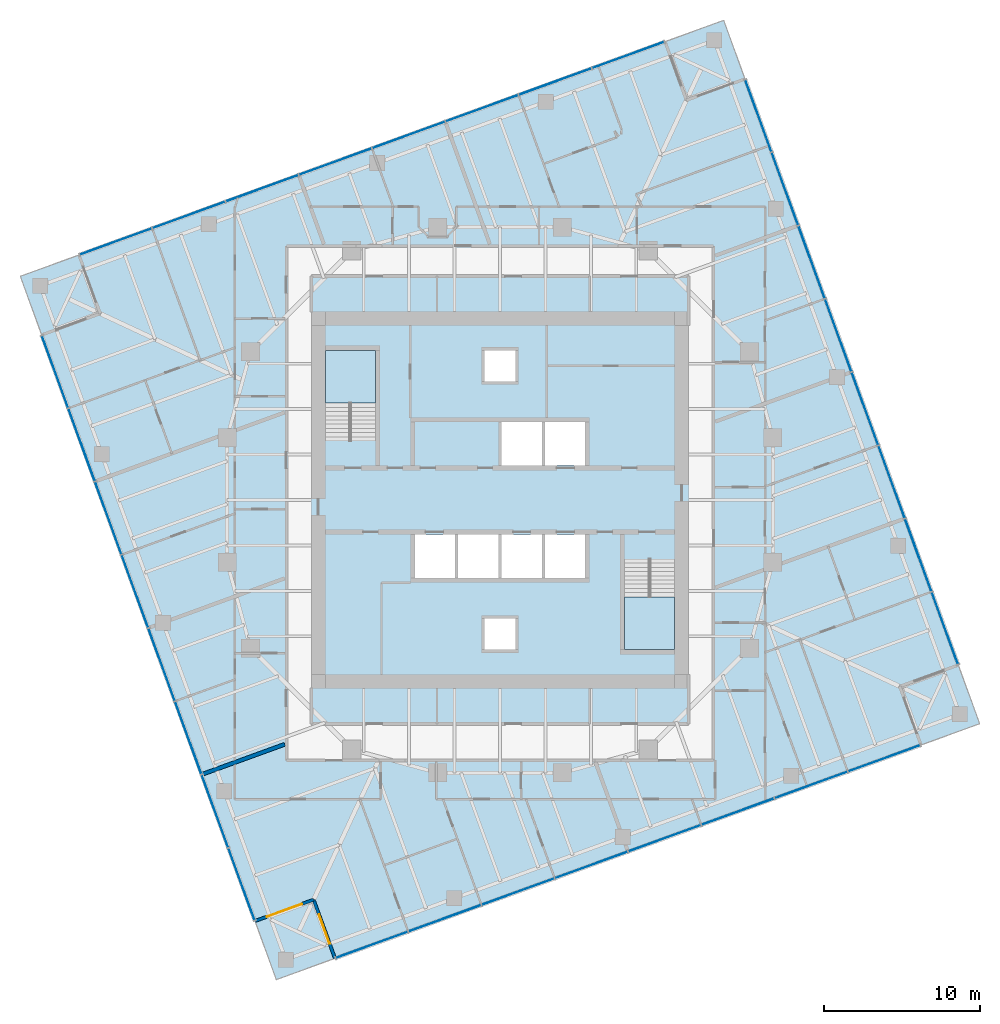
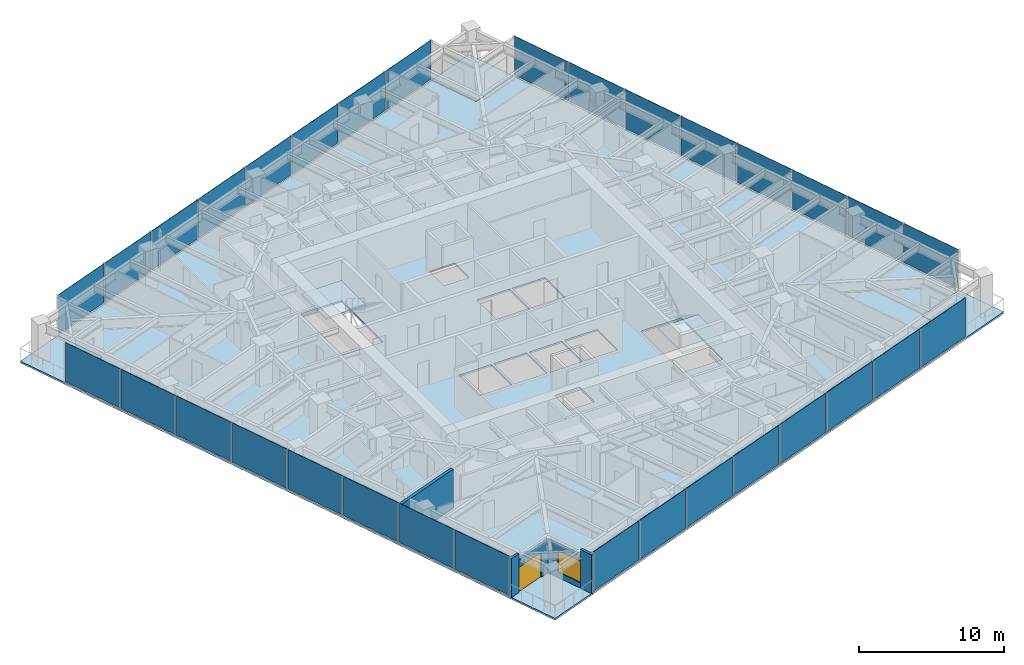
# One storey, part 6 of 13: 32 plates, 7 slabs, 5 walls, 1 door, 1 window, 2 openings, 6 elements without a shape of their own.
"""IFC4 building model written with IfcOpenShell, lengths in metres."""

from ifc_helpers import new_model, si_unit, direction, frame, frame_2d, origin, origin_2d, place, context, subcontext, project, spatial, polyline, rectangle, outline, extrude, material, layer, layer_set, type_object, element, fill, aggregate, save


model = new_model("IFC4")

# Units and contexts
model_context = context("Model", 3, precision=1e-05, world=origin(), true_north=direction((0.0, 1.0)))
body_context = subcontext(model_context, "Body", "Model", "MODEL_VIEW")
ifc_project = project(units=[si_unit("LENGTHUNIT", "METRE"), si_unit("AREAUNIT", "SQUARE_METRE"), si_unit("VOLUMEUNIT", "CUBIC_METRE"), si_unit("PLANEANGLEUNIT", "RADIAN"), si_unit("MASSUNIT", "GRAM", prefix="KILO")], contexts=[model_context])

# Site, building, storey
site_placement = place(None, origin())
site = spatial("IfcSite", under=ifc_project, at=site_placement, CompositionType="ELEMENT")
building_placement = place(site_placement, origin())
building = spatial("IfcBuilding", under=site, at=building_placement, Name="Torsade Residences", CompositionType="ELEMENT")
storey_placement = place(building_placement, frame((0.0, 0.0, 147.199951171875)))
storey = spatial("IfcBuildingStorey", under=building, at=storey_placement, Name="L40", CompositionType="ELEMENT", Elevation=147.199951171875)

# Slab
ifc_material_1 = material(Name="Concrete 40 MPa", Category="concrete")
ifc_layer_1 = layer(ifc_material_1, 0.14990234375)
ifc_layer_set_1 = layer_set([ifc_layer_1], Name="Concrete 40 MPa")
slab_type_1 = type_object("IfcSlabType", Name="COMPOSITE FLOOR SLAB 150", PredefinedType="FLOOR", material=ifc_layer_set_1)
slab_1_placement = place(storey_placement, frame((0.0, 0.0, -0.14990234375)))
element("IfcSlab", 1, at=slab_1_placement, inside=storey, type_object=slab_type_1, Name="Floor slab L40", PredefinedType="FLOOR", context=body_context, shape_type="SweptSolid", body=[
    extrude(outline(polyline([(29.41455078125, 0.60693359375), (67.00244140625, 14.287841796875), (65.63427734375, 18.046630859375), (69.39306640625, 19.41455078125), (55.712158203125, 57.00244140625), (51.953369140625, 55.63427734375), (50.58544921875, 59.39306640625), (12.99755859375, 45.712158203125), (14.36572265625, 41.953369140625), (10.60693359375, 40.58544921875), (24.287841796875, 2.99755859375), (28.046630859375, 4.36572265625), (29.41455078125, 0.60693359375)]), holes=[polyline([(51.199951171875, 26.1201171875), (48.0, 26.1201171875), (48.0, 20.39990234375), (51.199951171875, 20.39990234375), (51.199951171875, 26.1201171875)]), polyline([(45.5, 27.800048828125), (42.89990234375, 27.800048828125), (42.89990234375, 25.0), (45.5, 25.0), (45.5, 27.800048828125)]), polyline([(45.5, 35.0), (42.89990234375, 35.0), (42.89990234375, 32.199951171875), (45.5, 32.199951171875), (45.5, 35.0)]), polyline([(42.699951171875, 25.0), (42.699951171875, 27.800048828125), (40.10009765625, 27.800048828125), (40.10009765625, 25.0), (42.699951171875, 25.0)]), polyline([(42.699951171875, 35.0), (40.10009765625, 35.0), (40.10009765625, 32.199951171875), (42.699951171875, 32.199951171875), (42.699951171875, 35.0)]), polyline([(41.0, 22.39990234375), (39.0, 22.39990234375), (39.0, 20.39990234375), (41.0, 20.39990234375), (41.0, 22.39990234375)]), polyline([(41.0, 37.60009765625), (41.0, 39.60009765625), (39.0, 39.60009765625), (39.0, 37.60009765625), (41.0, 37.60009765625)]), polyline([(39.89990234375, 25.0), (39.89990234375, 27.800048828125), (37.300048828125, 27.800048828125), (37.300048828125, 25.0), (39.89990234375, 25.0)]), polyline([(37.10009765625, 27.800048828125), (34.5, 27.800048828125), (34.5, 25.0), (37.10009765625, 25.0), (37.10009765625, 27.800048828125)]), polyline([(32.0, 33.8798828125), (32.0, 39.60009765625), (28.800048828125, 39.60009765625), (28.800048828125, 33.8798828125), (32.0, 33.8798828125)])]), origin(), (0.0, 0.0, 1.0), 0.14990234375),
])

# Curtain wall, plates
ifc_material_2 = material(Name="Aluminium and glass", Category="aluminium")
curtain_wall_type = type_object("IfcCurtainWallType", Name="FRITTED GLASS CURTAIN WALL MID ZONE", PredefinedType="NOTDEFINED", material=ifc_material_2)
curtain_wall_1_placement = place(storey_placement, origin())
curtain_wall_1 = element("IfcCurtainWall", 2, at=curtain_wall_1_placement, inside=storey, type_object=curtain_wall_type, Name="Curtain wall L40 face 1", PredefinedType="NOTDEFINED")
ifc_material_3 = material(Name="Laminated glass", Category="glass")
ifc_layer_2 = layer(ifc_material_3, 0.031982421875)
ifc_layer_set_2 = layer_set([ifc_layer_2], Name="Laminated glass")
plate_type_1 = type_object("IfcPlateType", Name="FRITTED GLASS PANEL", PredefinedType="CURTAIN_PANEL", material=ifc_layer_set_2)
plate_1_placement = place(storey_placement, frame((31.78271484375, 1.46875, 0.110107421875), z_axis=(0.0, 0.0, 1.0), x_axis=(0.939692619132, 0.342020147869, 0.0)))
plate_1 = element("IfcPlate", 3, at=plate_1_placement, type_object=plate_type_1, Name="Panel 1", PredefinedType="CURTAIN_PANEL", context=body_context, shape_type="SweptSolid", body=[
    extrude(rectangle(XDim=4.8798828125, YDim=0.031982421875, at=origin_2d()), origin(), (0.0, 0.0, 1.0), 3.2900390625),
])
plate_2_placement = place(storey_placement, frame((41.160888671875, 4.88232421875, 0.110107421875), z_axis=(0.0, 0.0, 1.0), x_axis=(0.939692619132, 0.342020147869, 0.0)))
plate_2 = element("IfcPlate", 4, at=plate_2_placement, type_object=plate_type_1, Name="Panel 3", PredefinedType="CURTAIN_PANEL", context=body_context, shape_type="SweptSolid", body=[
    extrude(rectangle(XDim=4.919921875, YDim=0.031982421875, at=origin_2d()), origin(), (0.0, 0.0, 1.0), 3.2900390625),
])
plate_3_placement = place(storey_placement, frame((45.859130859375, 6.59228515625, 0.110107421875), z_axis=(0.0, 0.0, 1.0), x_axis=(0.939692619132, 0.342020147869, 0.0)))
plate_3 = element("IfcPlate", 5, at=plate_3_placement, type_object=plate_type_1, Name="Panel 4", PredefinedType="CURTAIN_PANEL", context=body_context, shape_type="SweptSolid", body=[
    extrude(rectangle(XDim=4.919921875, YDim=0.031982421875, at=origin_2d()), origin(), (0.0, 0.0, 1.0), 3.2900390625),
])
plate_4_placement = place(storey_placement, frame((50.5576171875, 8.302490234375, 0.110107421875), z_axis=(0.0, 0.0, 1.0), x_axis=(0.939692619132, 0.342020147869, 0.0)))
plate_4 = element("IfcPlate", 6, at=plate_4_placement, type_object=plate_type_1, Name="Panel 5", PredefinedType="CURTAIN_PANEL", context=body_context, shape_type="SweptSolid", body=[
    extrude(rectangle(XDim=4.919921875, YDim=0.031982421875, at=origin_2d()), origin(), (0.0, 0.0, 1.0), 3.2900390625),
])
plate_5_placement = place(storey_placement, frame((59.95458984375, 11.72265625, 0.110107421875), z_axis=(0.0, 0.0, 1.0), x_axis=(0.939692619132, 0.342020147869, 0.0)))
plate_5 = element("IfcPlate", 7, at=plate_5_placement, type_object=plate_type_1, Name="Panel 7", PredefinedType="CURTAIN_PANEL", context=body_context, shape_type="SweptSolid", body=[
    extrude(rectangle(XDim=4.919921875, YDim=0.031982421875, at=origin_2d()), origin(), (0.0, 0.0, 1.0), 3.2900390625),
])
plate_6_placement = place(storey_placement, frame((64.63427734375, 13.42578125, 0.110107421875), z_axis=(0.0, 0.0, 1.0), x_axis=(0.939692619132, 0.342020147869, 0.0)))
plate_6 = element("IfcPlate", 8, at=plate_6_placement, type_object=plate_type_1, Name="Panel 8", PredefinedType="CURTAIN_PANEL", context=body_context, shape_type="SweptSolid", body=[
    extrude(rectangle(XDim=4.8798828125, YDim=0.031982421875, at=origin_2d()), origin(), (0.0, 0.0, 1.0), 3.2900390625),
])

curtain_wall_2_placement = place(storey_placement, origin())
curtain_wall_2 = element("IfcCurtainWall", 9, at=curtain_wall_2_placement, inside=storey, type_object=curtain_wall_type, Name="Curtain wall L40 face 4", PredefinedType="NOTDEFINED")
plate_7_placement = place(storey_placement, frame((68.53125, 21.78271484375, 0.110107421875), z_axis=(0.0, 0.0, 1.0), x_axis=(-0.342020147869, 0.939692619132, 0.0)))
plate_7 = element("IfcPlate", 10, at=plate_7_placement, type_object=plate_type_1, Name="Panel 1", PredefinedType="CURTAIN_PANEL", context=body_context, shape_type="SweptSolid", body=[
    extrude(rectangle(XDim=4.8798828125, YDim=0.031982421875, at=origin_2d()), origin(), (0.0, 0.0, 1.0), 3.2900390625),
])
plate_8_placement = place(storey_placement, frame((65.11767578125, 31.160888671875, 0.110107421875), z_axis=(0.0, 0.0, 1.0), x_axis=(-0.342020147869, 0.939692619132, 0.0)))
plate_8 = element("IfcPlate", 11, at=plate_8_placement, type_object=plate_type_1, Name="Panel 3", PredefinedType="CURTAIN_PANEL", context=body_context, shape_type="SweptSolid", body=[
    extrude(rectangle(XDim=4.919921875, YDim=0.031982421875, at=origin_2d()), origin(), (0.0, 0.0, 1.0), 3.2900390625),
])
plate_9_placement = place(storey_placement, frame((63.40771484375, 35.859130859375, 0.110107421875), z_axis=(0.0, 0.0, 1.0), x_axis=(-0.342020147869, 0.939692619132, 0.0)))
plate_9 = element("IfcPlate", 12, at=plate_9_placement, type_object=plate_type_1, Name="Panel 4", PredefinedType="CURTAIN_PANEL", context=body_context, shape_type="SweptSolid", body=[
    extrude(rectangle(XDim=4.919921875, YDim=0.031982421875, at=origin_2d()), origin(), (0.0, 0.0, 1.0), 3.2900390625),
])
plate_10_placement = place(storey_placement, frame((61.697509765625, 40.5576171875, 0.110107421875), z_axis=(0.0, 0.0, 1.0), x_axis=(-0.342020147869, 0.939692619132, 0.0)))
plate_10 = element("IfcPlate", 13, at=plate_10_placement, type_object=plate_type_1, Name="Panel 5", PredefinedType="CURTAIN_PANEL", context=body_context, shape_type="SweptSolid", body=[
    extrude(rectangle(XDim=4.919921875, YDim=0.031982421875, at=origin_2d()), origin(), (0.0, 0.0, 1.0), 3.2900390625),
])
plate_11_placement = place(storey_placement, frame((58.27734375, 49.95458984375, 0.110107421875), z_axis=(0.0, 0.0, 1.0), x_axis=(-0.342020147869, 0.939692619132, 0.0)))
plate_11 = element("IfcPlate", 14, at=plate_11_placement, type_object=plate_type_1, Name="Panel 7", PredefinedType="CURTAIN_PANEL", context=body_context, shape_type="SweptSolid", body=[
    extrude(rectangle(XDim=4.919921875, YDim=0.031982421875, at=origin_2d()), origin(), (0.0, 0.0, 1.0), 3.2900390625),
])
plate_12_placement = place(storey_placement, frame((56.57421875, 54.63427734375, 0.110107421875), z_axis=(0.0, 0.0, 1.0), x_axis=(-0.342020147869, 0.939692619132, 0.0)))
plate_12 = element("IfcPlate", 15, at=plate_12_placement, type_object=plate_type_1, Name="Panel 8", PredefinedType="CURTAIN_PANEL", context=body_context, shape_type="SweptSolid", body=[
    extrude(rectangle(XDim=4.8798828125, YDim=0.031982421875, at=origin_2d()), origin(), (0.0, 0.0, 1.0), 3.2900390625),
])

curtain_wall_3_placement = place(storey_placement, origin())
curtain_wall_3 = element("IfcCurtainWall", 16, at=curtain_wall_3_placement, inside=storey, type_object=curtain_wall_type, Name="Curtain wall L40 face 7", PredefinedType="NOTDEFINED")
plate_13_placement = place(storey_placement, frame((48.21728515625, 58.53125, 0.110107421875), z_axis=(0.0, 0.0, 1.0), x_axis=(-0.939692619132, -0.342020147869, 0.0)))
plate_13 = element("IfcPlate", 17, at=plate_13_placement, type_object=plate_type_1, Name="Panel 1", PredefinedType="CURTAIN_PANEL", context=body_context, shape_type="SweptSolid", body=[
    extrude(rectangle(XDim=4.8798828125, YDim=0.031982421875, at=origin_2d()), origin(), (0.0, 0.0, 1.0), 3.2900390625),
])
plate_14_placement = place(storey_placement, frame((38.839111328125, 55.11767578125, 0.110107421875), z_axis=(0.0, 0.0, 1.0), x_axis=(-0.939692619132, -0.342020147869, 0.0)))
plate_14 = element("IfcPlate", 18, at=plate_14_placement, type_object=plate_type_1, Name="Panel 3", PredefinedType="CURTAIN_PANEL", context=body_context, shape_type="SweptSolid", body=[
    extrude(rectangle(XDim=4.919921875, YDim=0.031982421875, at=origin_2d()), origin(), (0.0, 0.0, 1.0), 3.2900390625),
])
plate_15_placement = place(storey_placement, frame((34.140869140625, 53.40771484375, 0.110107421875), z_axis=(0.0, 0.0, 1.0), x_axis=(-0.939692619132, -0.342020147869, 0.0)))
plate_15 = element("IfcPlate", 19, at=plate_15_placement, type_object=plate_type_1, Name="Panel 4", PredefinedType="CURTAIN_PANEL", context=body_context, shape_type="SweptSolid", body=[
    extrude(rectangle(XDim=4.919921875, YDim=0.031982421875, at=origin_2d()), origin(), (0.0, 0.0, 1.0), 3.2900390625),
])
plate_16_placement = place(storey_placement, frame((29.4423828125, 51.697509765625, 0.110107421875), z_axis=(0.0, 0.0, 1.0), x_axis=(-0.939692619132, -0.342020147869, 0.0)))
plate_16 = element("IfcPlate", 20, at=plate_16_placement, type_object=plate_type_1, Name="Panel 5", PredefinedType="CURTAIN_PANEL", context=body_context, shape_type="SweptSolid", body=[
    extrude(rectangle(XDim=4.919921875, YDim=0.031982421875, at=origin_2d()), origin(), (0.0, 0.0, 1.0), 3.2900390625),
])
plate_17_placement = place(storey_placement, frame((20.04541015625, 48.27734375, 0.110107421875), z_axis=(0.0, 0.0, 1.0), x_axis=(-0.939692619132, -0.342020147869, 0.0)))
plate_17 = element("IfcPlate", 21, at=plate_17_placement, type_object=plate_type_1, Name="Panel 7", PredefinedType="CURTAIN_PANEL", context=body_context, shape_type="SweptSolid", body=[
    extrude(rectangle(XDim=4.919921875, YDim=0.031982421875, at=origin_2d()), origin(), (0.0, 0.0, 1.0), 3.2900390625),
])
plate_18_placement = place(storey_placement, frame((15.36572265625, 46.57421875, 0.110107421875), z_axis=(0.0, 0.0, 1.0), x_axis=(-0.939692619132, -0.342020147869, 0.0)))
plate_18 = element("IfcPlate", 22, at=plate_18_placement, type_object=plate_type_1, Name="Panel 8", PredefinedType="CURTAIN_PANEL", context=body_context, shape_type="SweptSolid", body=[
    extrude(rectangle(XDim=4.8798828125, YDim=0.031982421875, at=origin_2d()), origin(), (0.0, 0.0, 1.0), 3.2900390625),
])

curtain_wall_4_placement = place(storey_placement, origin())
curtain_wall_4 = element("IfcCurtainWall", 23, at=curtain_wall_4_placement, inside=storey, type_object=curtain_wall_type, Name="Curtain wall L40 face 10", PredefinedType="NOTDEFINED")
plate_19_placement = place(storey_placement, frame((11.46875, 38.21728515625, 0.110107421875), z_axis=(0.0, 0.0, 1.0), x_axis=(0.342020147869, -0.939692619132, 0.0)))
plate_19 = element("IfcPlate", 24, at=plate_19_placement, type_object=plate_type_1, Name="Panel 1", PredefinedType="CURTAIN_PANEL", context=body_context, shape_type="SweptSolid", body=[
    extrude(rectangle(XDim=4.8798828125, YDim=0.031982421875, at=origin_2d()), origin(), (0.0, 0.0, 1.0), 3.2900390625),
])
plate_20_placement = place(storey_placement, frame((14.88232421875, 28.839111328125, 0.110107421875), z_axis=(0.0, 0.0, 1.0), x_axis=(0.342020147869, -0.939692619132, 0.0)))
plate_20 = element("IfcPlate", 25, at=plate_20_placement, type_object=plate_type_1, Name="Panel 3", PredefinedType="CURTAIN_PANEL", context=body_context, shape_type="SweptSolid", body=[
    extrude(rectangle(XDim=4.919921875, YDim=0.031982421875, at=origin_2d()), origin(), (0.0, 0.0, 1.0), 3.2900390625),
])
plate_21_placement = place(storey_placement, frame((16.59228515625, 24.140869140625, 0.110107421875), z_axis=(0.0, 0.0, 1.0), x_axis=(0.342020147869, -0.939692619132, 0.0)))
plate_21 = element("IfcPlate", 26, at=plate_21_placement, type_object=plate_type_1, Name="Panel 4", PredefinedType="CURTAIN_PANEL", context=body_context, shape_type="SweptSolid", body=[
    extrude(rectangle(XDim=4.919921875, YDim=0.031982421875, at=origin_2d()), origin(), (0.0, 0.0, 1.0), 3.2900390625),
])
plate_22_placement = place(storey_placement, frame((18.302490234375, 19.4423828125, 0.110107421875), z_axis=(0.0, 0.0, 1.0), x_axis=(0.342020147869, -0.939692619132, 0.0)))
plate_22 = element("IfcPlate", 27, at=plate_22_placement, type_object=plate_type_1, Name="Panel 5", PredefinedType="CURTAIN_PANEL", context=body_context, shape_type="SweptSolid", body=[
    extrude(rectangle(XDim=4.919921875, YDim=0.031982421875, at=origin_2d()), origin(), (0.0, 0.0, 1.0), 3.2900390625),
])
plate_23_placement = place(storey_placement, frame((21.72265625, 10.04541015625, 0.110107421875), z_axis=(0.0, 0.0, 1.0), x_axis=(0.342020147869, -0.939692619132, 0.0)))
plate_23 = element("IfcPlate", 28, at=plate_23_placement, type_object=plate_type_1, Name="Panel 7", PredefinedType="CURTAIN_PANEL", context=body_context, shape_type="SweptSolid", body=[
    extrude(rectangle(XDim=4.919921875, YDim=0.031982421875, at=origin_2d()), origin(), (0.0, 0.0, 1.0), 3.2900390625),
])
plate_24_placement = place(storey_placement, frame((23.42578125, 5.36572265625, 0.110107421875), z_axis=(0.0, 0.0, 1.0), x_axis=(0.342020147869, -0.939692619132, 0.0)))
plate_24 = element("IfcPlate", 29, at=plate_24_placement, type_object=plate_type_1, Name="Panel 8", PredefinedType="CURTAIN_PANEL", context=body_context, shape_type="SweptSolid", body=[
    extrude(rectangle(XDim=4.8798828125, YDim=0.031982421875, at=origin_2d()), origin(), (0.0, 0.0, 1.0), 3.2900390625),
])

# Plate
ifc_material_4 = material(Name="Laminated glass", Category="glass")
ifc_layer_3 = layer(ifc_material_4, 0.0400390625)
ifc_layer_set_3 = layer_set([ifc_layer_3], Name="Laminated glass")
plate_type_2 = type_object("IfcPlateType", Name="OPERABLE VENT PANEL", PredefinedType="CURTAIN_PANEL", material=ifc_layer_set_3)
plate_25_placement = place(storey_placement, frame((36.46240234375, 3.172119140625, 0.110107421875), z_axis=(0.0, 0.0, 1.0), x_axis=(0.939692619132, 0.342020147869, 0.0)))
plate_25 = element("IfcPlate", 30, at=plate_25_placement, type_object=plate_type_2, Name="Panel 2", PredefinedType="CURTAIN_PANEL", context=body_context, shape_type="SweptSolid", body=[
    extrude(rectangle(XDim=4.919921875, YDim=0.0400390625, at=origin_2d()), origin(), (0.0, 0.0, 1.0), 3.2900390625),
])

plate_26_placement = place(storey_placement, frame((55.256103515625, 10.012451171875, 0.110107421875), z_axis=(0.0, 0.0, 1.0), x_axis=(0.939692619132, 0.342020147869, 0.0)))
plate_26 = element("IfcPlate", 31, at=plate_26_placement, type_object=plate_type_2, Name="Panel 6", PredefinedType="CURTAIN_PANEL", context=body_context, shape_type="SweptSolid", body=[
    extrude(rectangle(XDim=4.919921875, YDim=0.0400390625, at=origin_2d()), origin(), (0.0, 0.0, 1.0), 3.2900390625),
])

aggregate(curtain_wall_1, [plate_1, plate_25, plate_2, plate_3, plate_4, plate_26, plate_5, plate_6])

plate_27_placement = place(storey_placement, frame((66.827880859375, 26.46240234375, 0.110107421875), z_axis=(0.0, 0.0, 1.0), x_axis=(-0.342020147869, 0.939692619132, 0.0)))
plate_27 = element("IfcPlate", 32, at=plate_27_placement, type_object=plate_type_2, Name="Panel 2", PredefinedType="CURTAIN_PANEL", context=body_context, shape_type="SweptSolid", body=[
    extrude(rectangle(XDim=4.919921875, YDim=0.0400390625, at=origin_2d()), origin(), (0.0, 0.0, 1.0), 3.2900390625),
])

plate_28_placement = place(storey_placement, frame((59.987548828125, 45.256103515625, 0.110107421875), z_axis=(0.0, 0.0, 1.0), x_axis=(-0.342020147869, 0.939692619132, 0.0)))
plate_28 = element("IfcPlate", 33, at=plate_28_placement, type_object=plate_type_2, Name="Panel 6", PredefinedType="CURTAIN_PANEL", context=body_context, shape_type="SweptSolid", body=[
    extrude(rectangle(XDim=4.919921875, YDim=0.0400390625, at=origin_2d()), origin(), (0.0, 0.0, 1.0), 3.2900390625),
])

aggregate(curtain_wall_2, [plate_7, plate_27, plate_8, plate_9, plate_10, plate_28, plate_11, plate_12])

plate_29_placement = place(storey_placement, frame((43.53759765625, 56.827880859375, 0.110107421875), z_axis=(0.0, 0.0, 1.0), x_axis=(-0.939692619132, -0.342020147869, 0.0)))
plate_29 = element("IfcPlate", 34, at=plate_29_placement, type_object=plate_type_2, Name="Panel 2", PredefinedType="CURTAIN_PANEL", context=body_context, shape_type="SweptSolid", body=[
    extrude(rectangle(XDim=4.919921875, YDim=0.0400390625, at=origin_2d()), origin(), (0.0, 0.0, 1.0), 3.2900390625),
])

plate_30_placement = place(storey_placement, frame((24.743896484375, 49.987548828125, 0.110107421875), z_axis=(0.0, 0.0, 1.0), x_axis=(-0.939692619132, -0.342020147869, 0.0)))
plate_30 = element("IfcPlate", 35, at=plate_30_placement, type_object=plate_type_2, Name="Panel 6", PredefinedType="CURTAIN_PANEL", context=body_context, shape_type="SweptSolid", body=[
    extrude(rectangle(XDim=4.919921875, YDim=0.0400390625, at=origin_2d()), origin(), (0.0, 0.0, 1.0), 3.2900390625),
])

aggregate(curtain_wall_3, [plate_13, plate_29, plate_14, plate_15, plate_16, plate_30, plate_17, plate_18])

plate_31_placement = place(storey_placement, frame((13.172119140625, 33.53759765625, 0.110107421875), z_axis=(0.0, 0.0, 1.0), x_axis=(0.342020147869, -0.939692619132, 0.0)))
plate_31 = element("IfcPlate", 36, at=plate_31_placement, type_object=plate_type_2, Name="Panel 2", PredefinedType="CURTAIN_PANEL", context=body_context, shape_type="SweptSolid", body=[
    extrude(rectangle(XDim=4.919921875, YDim=0.0400390625, at=origin_2d()), origin(), (0.0, 0.0, 1.0), 3.2900390625),
])

plate_32_placement = place(storey_placement, frame((20.012451171875, 14.743896484375, 0.110107421875), z_axis=(0.0, 0.0, 1.0), x_axis=(0.342020147869, -0.939692619132, 0.0)))
plate_32 = element("IfcPlate", 37, at=plate_32_placement, type_object=plate_type_2, Name="Panel 6", PredefinedType="CURTAIN_PANEL", context=body_context, shape_type="SweptSolid", body=[
    extrude(rectangle(XDim=4.919921875, YDim=0.0400390625, at=origin_2d()), origin(), (0.0, 0.0, 1.0), 3.2900390625),
])

aggregate(curtain_wall_4, [plate_19, plate_31, plate_20, plate_21, plate_22, plate_32, plate_23, plate_24])

# Stair, slab
ifc_material_5 = material(Name="Precast concrete 40 MPa", Category="concrete")
stair_type = type_object("IfcStairType", Name="HALF-TURN FIRE STAIR 1500x3400", PredefinedType="HALF_TURN_STAIR", material=ifc_material_5)
stair_1_placement = place(storey_placement, origin())
stair_1 = element("IfcStair", 38, at=stair_1_placement, inside=storey, type_object=stair_type, Name="Stair ST1 L40", PredefinedType="HALF_TURN_STAIR")
ifc_material_6 = material(Name="Precast concrete 40 MPa", Category="concrete")
ifc_layer_4 = layer(ifc_material_6, 0.179931640625)
ifc_layer_set_4 = layer_set([ifc_layer_4], Name="Precast concrete 40 MPa")
slab_type_2 = type_object("IfcSlabType", Name="PRECAST STAIR LANDING 180", PredefinedType="LANDING", material=ifc_layer_set_4)
slab_2_placement = place(storey_placement, frame((0.0, 0.0, 1.52001953125)))
slab_2 = element("IfcSlab", 39, at=slab_2_placement, type_object=slab_type_2, Name="ST1 landing 1", PredefinedType="LANDING", context=body_context, shape_type="SweptSolid", body=[
    extrude(outline(polyline([(28.800048828125, 36.2099609375), (32.0, 36.2099609375), (32.0, 39.60009765625), (28.800048828125, 39.60009765625), (28.800048828125, 36.2099609375)])), origin(), (0.0, 0.0, 1.0), 0.179931640625),
])
aggregate(stair_1, [slab_2])

stair_2_placement = place(storey_placement, origin())
stair_2 = element("IfcStair", 40, at=stair_2_placement, inside=storey, type_object=stair_type, Name="Stair ST2 L40", PredefinedType="HALF_TURN_STAIR")
slab_3_placement = place(storey_placement, frame((0.0, 0.0, 1.52001953125)))
slab_3 = element("IfcSlab", 41, at=slab_3_placement, type_object=slab_type_2, Name="ST2 landing 1", PredefinedType="LANDING", context=body_context, shape_type="SweptSolid", body=[
    extrude(outline(polyline([(48.0, 20.39990234375), (51.199951171875, 20.39990234375), (51.199951171875, 23.7900390625), (48.0, 23.7900390625), (48.0, 20.39990234375)])), origin(), (0.0, 0.0, 1.0), 0.179931640625),
])
aggregate(stair_2, [slab_3])

# Slabs
ifc_material_7 = material(Name="Concrete 40 MPa", Category="concrete")
ifc_layer_5 = layer(ifc_material_7, 0.14990234375)
ifc_layer_set_5 = layer_set([ifc_layer_5], Name="Concrete 40 MPa")
slab_type_3 = type_object("IfcSlabType", Name="TERRACE SLAB 150", PredefinedType="FLOOR", material=ifc_layer_set_5)
slab_4_placement = place(storey_placement, frame((0.0, 0.0, -0.14990234375)))
element("IfcSlab", 42, at=slab_4_placement, inside=storey, type_object=slab_type_3, Name="Corner terrace slab SE L40", PredefinedType="FLOOR", context=body_context, shape_type="SweptSolid", body=[
    extrude(outline(polyline([(67.00244140625, 14.287841796875), (70.760986328125, 15.65576171875), (69.39306640625, 19.41455078125), (65.63427734375, 18.046630859375), (67.00244140625, 14.287841796875)])), origin(), (0.0, 0.0, 1.0), 0.14990234375),
])
slab_5_placement = place(storey_placement, frame((0.0, 0.0, -0.14990234375)))
element("IfcSlab", 43, at=slab_5_placement, inside=storey, type_object=slab_type_3, Name="Corner terrace slab NE L40", PredefinedType="FLOOR", context=body_context, shape_type="SweptSolid", body=[
    extrude(outline(polyline([(51.953369140625, 55.63427734375), (55.712158203125, 57.00244140625), (54.34423828125, 60.760986328125), (50.58544921875, 59.39306640625), (51.953369140625, 55.63427734375)])), origin(), (0.0, 0.0, 1.0), 0.14990234375),
])
slab_6_placement = place(storey_placement, frame((0.0, 0.0, -0.14990234375)))
element("IfcSlab", 44, at=slab_6_placement, inside=storey, type_object=slab_type_3, Name="Corner terrace slab NW L40", PredefinedType="FLOOR", context=body_context, shape_type="SweptSolid", body=[
    extrude(outline(polyline([(10.60693359375, 40.58544921875), (14.36572265625, 41.953369140625), (12.99755859375, 45.712158203125), (9.239013671875, 44.34423828125), (10.60693359375, 40.58544921875)])), origin(), (0.0, 0.0, 1.0), 0.14990234375),
])
slab_7_placement = place(storey_placement, frame((0.0, 0.0, -0.14990234375)))
element("IfcSlab", 45, at=slab_7_placement, inside=storey, type_object=slab_type_3, Name="Corner terrace slab SW L40", PredefinedType="FLOOR", context=body_context, shape_type="SweptSolid", body=[
    extrude(outline(polyline([(25.65576171875, -0.760986328125), (29.41455078125, 0.60693359375), (28.046630859375, 4.36572265625), (24.287841796875, 2.99755859375), (25.65576171875, -0.760986328125)])), origin(), (0.0, 0.0, 1.0), 0.14990234375),
])

# Walls
ifc_material_8 = material(Name="Masonry-lined stud party wall", Category="masonry")
ifc_layer_6 = layer(ifc_material_8, 0.25)
ifc_layer_set_6 = layer_set([ifc_layer_6], Name="Masonry-lined stud party wall")
wall_type_1 = type_object("IfcWallType", Name="PARTY WALL 250", PredefinedType="PARTITIONING", material=ifc_layer_set_6)
wall_1_placement = place(storey_placement, frame((20.86767578125, 12.39453125, 0.0), z_axis=(0.0, 0.0, 1.0), x_axis=(0.939690274876, 0.342026588591, 0.0)))
element("IfcWall", 46, at=wall_1_placement, inside=storey, type_object=wall_type_1, Name="Party wall L40", PredefinedType="PARTITIONING", context=body_context, shape_type="SweptSolid", body=[
    extrude(rectangle(XDim=5.6689453125, YDim=0.25, at=frame_2d((2.83447265625, 0.0))), origin(), (0.0, 0.0, 1.0), 3.25),
])
ifc_material_9 = material(Name="Stone-faced precast concrete 40 MPa panel", Category="masonry")
ifc_layer_7 = layer(ifc_material_9, 0.199951171875)
ifc_layer_set_7 = layer_set([ifc_layer_7], Name="Stone-faced precast concrete 40 MPa panel")
wall_type_2 = type_object("IfcWallType", Name="TERRACE WALL 200", PredefinedType="SOLIDWALL", material=ifc_layer_set_7)
wall_2_placement = place(storey_placement, frame((24.287841796875, 2.99755859375, 0.0), z_axis=(0.0, 0.0, 1.0), x_axis=(0.939659694648, 0.342110593602, 0.0)))
element("IfcWall", 47, at=wall_2_placement, inside=storey, type_object=wall_type_2, Name="Terrace wall L40 11", PredefinedType="SOLIDWALL", context=body_context, shape_type="SweptSolid", body=[
    extrude(rectangle(XDim=0.800048828125, YDim=0.199951171875, at=frame_2d((0.39990234375, 0.0))), origin(), (0.0, 0.0, 1.0), 3.25),
])

# Wall, opening, door
wall_3_placement = place(storey_placement, frame((25.03955078125, 3.271240234375, 0.0), z_axis=(0.0, 0.0, 1.0), x_axis=(0.939693144909, 0.342018703306, 0.0)))
wall_3 = element("IfcWall", 48, at=wall_3_placement, inside=storey, type_object=wall_type_2, Name="Terrace wall L40 11", PredefinedType="SOLIDWALL", context=body_context, shape_type="SweptSolid", body=[
    extrude(rectangle(XDim=3.199951171875, YDim=0.199951171875, at=frame_2d((1.60009765625, 0.0))), origin(), (0.0, 0.0, 1.0), 2.72216796875),
])
opening_1_placement = place(wall_3_placement, origin())
opening_1 = element("IfcOpeningElement", 49, at=opening_1_placement, cuts=wall_3, Name="Opening D10A", PredefinedType="OPENING", context=body_context, shape_type="SweptSolid", body=[
    extrude(rectangle(XDim=2.39990234375, YDim=2.10009765625, at=frame_2d((1.199951171875, 1.050048828125))), frame((0.0, 0.10986328125, 0.0), z_axis=(0.0, -1.0, 0.0), x_axis=(1.0, 0.0, 0.0)), (0.0, 0.0, 1.0), 0.219970703125),
])
ifc_material_10 = material(Name="Aluminium-framed glass door", Category="aluminium")
door_type = type_object("IfcDoorType", Name="TERRACE SLIDING DOOR 2400x2100", OperationType="SLIDING_TO_LEFT", PredefinedType="DOOR", material=ifc_material_10)
door_placement = place(opening_1_placement, origin())
door = element("IfcDoor", 50, at=door_placement, inside=storey, type_object=door_type, Name="Terrace door L40 11", OperationType="SLIDING_TO_LEFT", OverallHeight=2.10009765625, OverallWidth=2.39990234375, PredefinedType="DOOR", context=body_context, shape_type="SweptSolid", body=[
    extrude(rectangle(XDim=2.39990234375, YDim=2.10009765625, at=frame_2d((1.199951171875, 1.050048828125))), frame((0.0, 0.02490234375, 0.0), z_axis=(0.0, -1.0, 0.0), x_axis=(1.0, 0.0, 0.0)), (0.0, 0.0, 1.0), 0.050048828125),
])
fill(opening_1, door)

# Wall, opening, window
wall_4_placement = place(storey_placement, frame((28.046630859375, 4.36572265625, 0.0), z_axis=(0.0, 0.0, 1.0), x_axis=(0.341965219194, -0.939712609717, 0.0)))
wall_4 = element("IfcWall", 51, at=wall_4_placement, inside=storey, type_object=wall_type_2, Name="Terrace wall L40 12", PredefinedType="SOLIDWALL", context=body_context, shape_type="SweptSolid", body=[
    extrude(rectangle(XDim=3.0, YDim=0.199951171875, at=frame_2d((1.5, 0.0))), origin(), (0.0, 0.0, 1.0), 2.72216796875),
])
opening_2_placement = place(wall_4_placement, frame((1.0, 0.0, 0.449951171875)))
opening_2 = element("IfcOpeningElement", 52, at=opening_2_placement, cuts=wall_4, Name="Opening W1B", PredefinedType="OPENING", context=body_context, shape_type="SweptSolid", body=[
    extrude(rectangle(XDim=2.0, YDim=1.800048828125, at=frame_2d((1.0, 0.89990234375))), frame((0.0, 0.10986328125, 0.0), z_axis=(0.0, -1.0, 0.0), x_axis=(1.0, 0.0, 0.0)), (0.0, 0.0, 1.0), 0.219970703125),
])
ifc_material_11 = material(Name="Aluminium-framed glass window", Category="aluminium")
window_type = type_object("IfcWindowType", Name="TERRACE WINDOW 2000x1800", PartitioningType="SINGLE_PANEL", PredefinedType="WINDOW", material=ifc_material_11)
window_placement = place(opening_2_placement, origin())
window = element("IfcWindow", 53, at=window_placement, inside=storey, type_object=window_type, Name="Terrace window L40 12", OverallHeight=1.800048828125, OverallWidth=2.0, PartitioningType="SINGLE_PANEL", PredefinedType="WINDOW", context=body_context, shape_type="SweptSolid", body=[
    extrude(rectangle(XDim=2.0, YDim=1.800048828125, at=frame_2d((1.0, 0.89990234375))), frame((0.0, 0.030029296875, 0.0), z_axis=(0.0, -1.0, 0.0), x_axis=(1.0, 0.0, 0.0)), (0.0, 0.0, 1.0), 0.06005859375),
])
fill(opening_2, window)

# Wall
wall_5_placement = place(storey_placement, frame((29.072509765625, 1.546630859375, 0.0), z_axis=(0.0, 0.0, 1.0), x_axis=(0.342037080957, -0.939686455819, 0.0)))
element("IfcWall", 54, at=wall_5_placement, inside=storey, type_object=wall_type_2, Name="Terrace wall L40 12", PredefinedType="SOLIDWALL", context=body_context, shape_type="SweptSolid", body=[
    extrude(rectangle(XDim=1.0, YDim=0.199951171875, at=frame_2d((0.5, 0.0))), origin(), (0.0, 0.0, 1.0), 3.25),
])

save(model, "model.ifc")
